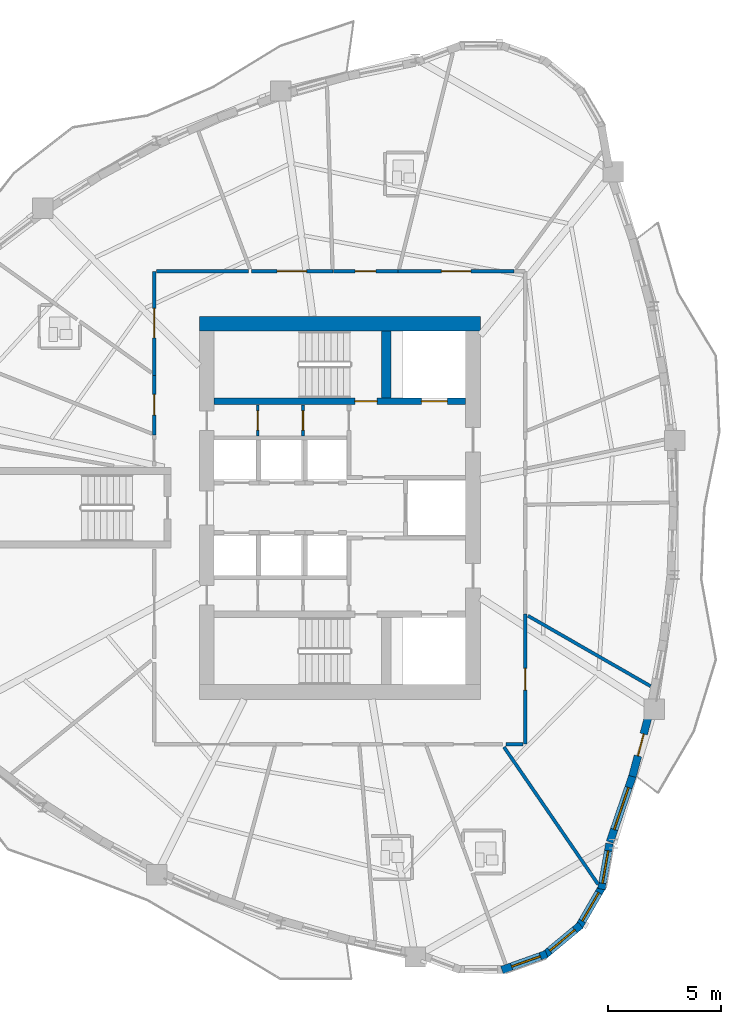
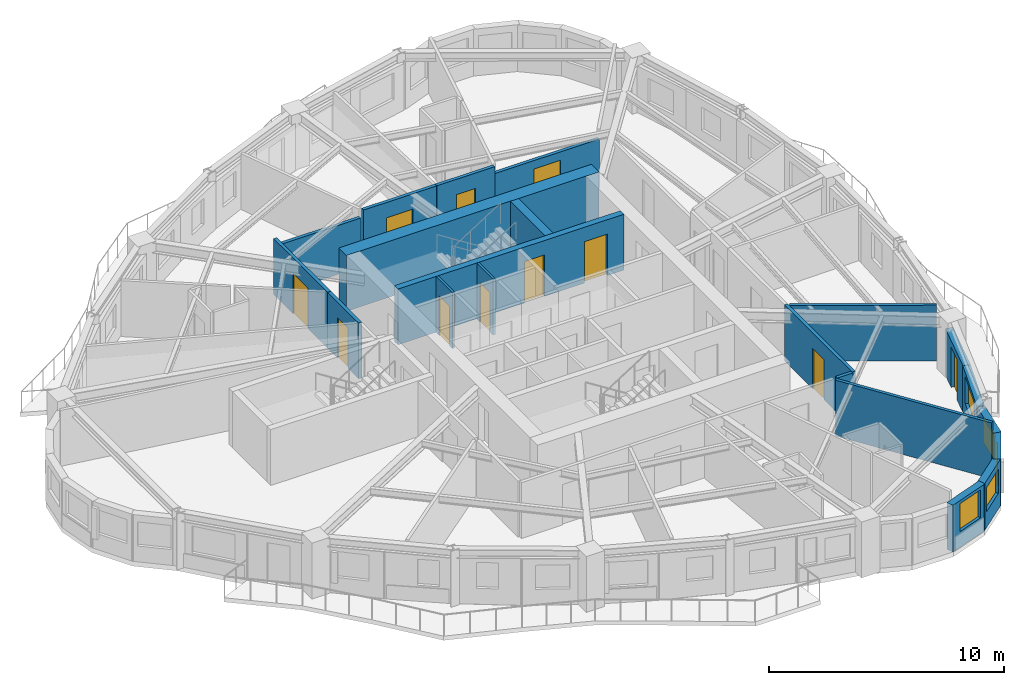
# One storey, part 6 of 12: 21 walls, 11 doors, 5 windows, 16 openings.
"""IFC4 building model written with IfcOpenShell, lengths in metres."""

from ifc_helpers import new_model, si_unit, direction, frame, frame_2d, origin, place, context, subcontext, project, spatial, rectangle, extrude, source, transform, mapped, material, layer, layer_set, type_object, element, fill, save


model = new_model("IFC4")

# Units and contexts
model_context = context("Model", 3, precision=1e-05, world=origin(), true_north=direction((0.0, 1.0)))
body_context = subcontext(model_context, "Body", "Model", "MODEL_VIEW")
ifc_project = project(units=[si_unit("LENGTHUNIT", "METRE"), si_unit("AREAUNIT", "SQUARE_METRE"), si_unit("VOLUMEUNIT", "CUBIC_METRE"), si_unit("PLANEANGLEUNIT", "RADIAN"), si_unit("MASSUNIT", "GRAM", prefix="KILO")], contexts=[model_context])

# Site, building, storey
site_placement = place(None, origin())
site = spatial("IfcSite", under=ifc_project, at=site_placement, CompositionType="ELEMENT")
building_placement = place(site_placement, origin())
building = spatial("IfcBuilding", under=site, at=building_placement, Name="Qafzar Sky-Pleat Residences", CompositionType="ELEMENT")
storey_placement = place(building_placement, frame((0.0, 0.0, 124.800048828125)))
storey = spatial("IfcBuildingStorey", under=building, at=storey_placement, Name="L37", CompositionType="ELEMENT", Elevation=124.800048828125)

# Wall, opening, door
ifc_material_1 = material(Name="Acoustic gypsum plasterboard partition", Category="gypsum")
ifc_layer_1 = layer(ifc_material_1, 0.159912109375)
ifc_layer_set_1 = layer_set([ifc_layer_1], Name="Acoustic gypsum plasterboard partition")
wall_type_1 = type_object("IfcWallType", Name="PART-COR-160", PredefinedType="PARTITIONING", material=ifc_layer_set_1)
wall_1_placement = place(storey_placement, frame((38.530029296875, 21.321044921875, 0.0), z_axis=(0.0, 0.0, 1.0), x_axis=(0.0, -1.0, 0.0)))
wall_1 = element("IfcWall", 1, at=wall_1_placement, inside=storey, type_object=wall_type_1, Name="L37 Partition Wall PART-L37-PW-002", PredefinedType="PARTITIONING", context=body_context, shape_type="SweptSolid", body=[
    extrude(rectangle(XDim=5.7509765625, YDim=0.159912109375, at=frame_2d((2.87548828125, 0.0))), origin(), (0.0, 0.0, 1.0), 2.89990234375),
])
opening_1_placement = place(wall_1_placement, frame((2.404052734375, 0.0, 0.0)))
opening_1 = element("IfcOpeningElement", 2, at=opening_1_placement, cuts=wall_1, Name="Opening ID-06", PredefinedType="OPENING", context=body_context, shape_type="SweptSolid", body=[
    extrude(rectangle(XDim=0.9599609375, YDim=2.10009765625, at=frame_2d((0.47998046875, 1.050048828125))), frame((0.0, 0.08984375, 0.0), z_axis=(0.0, -1.0, 0.0), x_axis=(1.0, 0.0, 0.0)), (0.0, 0.0, 1.0), 0.179931640625),
])
ifc_material_2 = material(Name="Timber-faced fire door", Category="wood")
door_type_1 = type_object("IfcDoorType", Name="DR-STD-960", OperationType="NOTDEFINED", PredefinedType="DOOR", material=ifc_material_2)
shared_shape_1 = source(origin(), body_context, "Body", "SweptSolid", [
    extrude(rectangle(XDim=0.9599609375, YDim=2.10009765625, at=frame_2d((0.47998046875, 1.050048828125))), frame((0.0, 0.02490234375, 0.0), z_axis=(0.0, -1.0, 0.0), x_axis=(1.0, 0.0, 0.0)), (0.0, 0.0, 1.0), 0.050048828125),
])
door_1_placement = place(opening_1_placement, origin())
door_1 = element("IfcDoor", 3, at=door_1_placement, inside=storey, type_object=door_type_1, Name="L37 Wellness Yoga Studio Door", OperationType="SINGLE_SWING_LEFT", OverallHeight=2.10009765625, OverallWidth=0.9599609375, PredefinedType="DOOR", context=body_context, shape_type="MappedRepresentation", body=[
    mapped(shared_shape_1, transform((0.0, 0.0, 0.0), x_axis=(1.0, 0.0, 0.0), y_axis=(0.0, 1.0, 0.0), z_axis=(0.0, 0.0, 1.0), scale=1.0)),
])
fill(opening_1, door_1)

wall_2_placement = place(storey_placement, frame((32.925048828125, 36.429931640625, 0.0), z_axis=(0.0, 0.0, 1.0), x_axis=(1.0, 0.0, 0.0)))
wall_2 = element("IfcWall", 4, at=wall_2_placement, inside=storey, type_object=wall_type_1, Name="L37 Partition Wall PART-L37-PW-004", PredefinedType="PARTITIONING", context=body_context, shape_type="SweptSolid", body=[
    extrude(rectangle(XDim=5.117919921875, YDim=0.159912109375, at=frame_2d((2.55908203125, 0.0))), origin(), (0.0, 0.0, 1.0), 2.537841796875),
])
opening_2_placement = place(wall_2_placement, frame((1.907470703125, 0.0, 0.0)))
opening_2 = element("IfcOpeningElement", 5, at=opening_2_placement, cuts=wall_2, Name="Opening ID-05", PredefinedType="OPENING", context=body_context, shape_type="SweptSolid", body=[
    extrude(rectangle(XDim=1.300048828125, YDim=2.10009765625, at=frame_2d((0.64990234375, 1.050048828125))), frame((0.0, 0.08984375, 0.0), z_axis=(0.0, -1.0, 0.0), x_axis=(1.0, 0.0, 0.0)), (0.0, 0.0, 1.0), 0.179931640625),
])
door_type_2 = type_object("IfcDoorType", Name="DR-LNG-1300", OperationType="DOUBLE_DOOR_SINGLE_SWING", PredefinedType="DOOR", material=ifc_material_2)
shared_shape_2 = source(origin(), body_context, "Body", "SweptSolid", [
    extrude(rectangle(XDim=1.300048828125, YDim=2.10009765625, at=frame_2d((0.64990234375, 1.050048828125))), frame((0.0, 0.02490234375, 0.0), z_axis=(0.0, -1.0, 0.0), x_axis=(1.0, 0.0, 0.0)), (0.0, 0.0, 1.0), 0.050048828125),
])
door_2_placement = place(opening_2_placement, origin())
door_2 = element("IfcDoor", 6, at=door_2_placement, inside=storey, type_object=door_type_2, Name="L37 Tutorial Huddle Room Door", OperationType="DOUBLE_DOOR_SINGLE_SWING", OverallHeight=2.10009765625, OverallWidth=1.300048828125, PredefinedType="DOOR", context=body_context, shape_type="MappedRepresentation", body=[
    mapped(shared_shape_2, transform((0.0, 0.0, 0.0), x_axis=(1.0, 0.0, 0.0), y_axis=(0.0, 1.0, 0.0), z_axis=(0.0, 0.0, 1.0), scale=1.0)),
])
fill(opening_2, door_2)

wall_3_placement = place(storey_placement, frame((22.169921875, 31.843994140625, 0.0), z_axis=(0.0, 0.0, 1.0), x_axis=(0.0, 1.0, 0.0)))
wall_3 = element("IfcWall", 7, at=wall_3_placement, inside=storey, type_object=wall_type_1, Name="L37 Partition Wall PART-L37-PW-007", PredefinedType="PARTITIONING", context=body_context, shape_type="SweptSolid", body=[
    extrude(rectangle(XDim=4.5859375, YDim=0.159912109375, at=frame_2d((2.29296875, 0.0))), origin(), (0.0, 0.0, 1.0), 2.89990234375),
])
opening_3_placement = place(wall_3_placement, frame((1.652587890625, 0.0, 0.0)))
opening_3 = element("IfcOpeningElement", 8, at=opening_3_placement, cuts=wall_3, Name="Opening ID-05", PredefinedType="OPENING", context=body_context, shape_type="SweptSolid", body=[
    extrude(rectangle(XDim=1.300048828125, YDim=2.10009765625, at=frame_2d((0.64990234375, 1.050048828125))), frame((0.0, 0.08984375, 0.0), z_axis=(0.0, -1.0, 0.0), x_axis=(1.0, 0.0, 0.0)), (0.0, 0.0, 1.0), 0.179931640625),
])
door_3_placement = place(opening_3_placement, origin())
door_3 = element("IfcDoor", 9, at=door_3_placement, inside=storey, type_object=door_type_2, Name="L37 Graduate Lecture Room Door", OperationType="DOUBLE_DOOR_SINGLE_SWING", OverallHeight=2.10009765625, OverallWidth=1.300048828125, PredefinedType="DOOR", context=body_context, shape_type="MappedRepresentation", body=[
    mapped(shared_shape_2, transform((0.0, 0.0, 0.0), x_axis=(1.0, 0.0, 0.0), y_axis=(0.0, 1.0, 0.0), z_axis=(0.0, 0.0, 1.0), scale=1.0)),
])
fill(opening_3, door_3)

wall_4_placement = place(storey_placement, frame((26.462890625, 36.429931640625, 0.0), z_axis=(0.0, 0.0, 1.0), x_axis=(1.0, 0.0, 0.0)))
wall_4 = element("IfcWall", 10, at=wall_4_placement, inside=storey, type_object=wall_type_1, Name="L37 Partition Wall PART-L37-PW-009", PredefinedType="PARTITIONING", context=body_context, shape_type="SweptSolid", body=[
    extrude(rectangle(XDim=3.585205078125, YDim=0.159912109375, at=frame_2d((1.79248046875, 0.0))), origin(), (0.0, 0.0, 1.0), 2.89990234375),
])
opening_4_placement = place(wall_4_placement, frame((1.119384765625, 0.0, 0.0)))
opening_4 = element("IfcOpeningElement", 11, at=opening_4_placement, cuts=wall_4, Name="Opening ID-05", PredefinedType="OPENING", context=body_context, shape_type="SweptSolid", body=[
    extrude(rectangle(XDim=1.300048828125, YDim=2.10009765625, at=frame_2d((0.64990234375, 1.050048828125))), frame((0.0, 0.08984375, 0.0), z_axis=(0.0, -1.0, 0.0), x_axis=(1.0, 0.0, 0.0)), (0.0, 0.0, 1.0), 0.179931640625),
])
door_4_placement = place(opening_4_placement, origin())
door_4 = element("IfcDoor", 12, at=door_4_placement, inside=storey, type_object=door_type_2, Name="L37 Communal Kitchen Door", OperationType="DOUBLE_DOOR_SINGLE_SWING", OverallHeight=2.10009765625, OverallWidth=1.300048828125, PredefinedType="DOOR", context=body_context, shape_type="MappedRepresentation", body=[
    mapped(shared_shape_2, transform((0.0, 0.0, 0.0), x_axis=(1.0, 0.0, 0.0), y_axis=(0.0, 1.0, 0.0), z_axis=(0.0, 0.0, 1.0), scale=1.0)),
])
fill(opening_4, door_4)

wall_5_placement = place(storey_placement, frame((30.06298828125, 36.429931640625, 0.0), z_axis=(0.0, 0.0, 1.0), x_axis=(1.0, 0.0, 0.0)))
wall_5 = element("IfcWall", 13, at=wall_5_placement, inside=storey, type_object=wall_type_1, Name="L37 Partition Wall PART-L37-PW-012", PredefinedType="PARTITIONING", context=body_context, shape_type="SweptSolid", body=[
    extrude(rectangle(XDim=2.846923828125, YDim=0.159912109375, at=frame_2d((1.42333984375, 0.0))), origin(), (0.0, 0.0, 1.0), 2.89990234375),
])
opening_5_placement = place(wall_5_placement, frame((0.964111328125, 0.0, 0.0)))
opening_5 = element("IfcOpeningElement", 14, at=opening_5_placement, cuts=wall_5, Name="Opening ID-04", PredefinedType="OPENING", context=body_context, shape_type="SweptSolid", body=[
    extrude(rectangle(XDim=0.919921875, YDim=2.10009765625, at=frame_2d((0.4599609375, 1.050048828125))), frame((0.0, 0.08984375, 0.0), z_axis=(0.0, -1.0, 0.0), x_axis=(1.0, 0.0, 0.0)), (0.0, 0.0, 1.0), 0.179931640625),
])
door_type_3 = type_object("IfcDoorType", Name="DR-BED-920", OperationType="NOTDEFINED", PredefinedType="DOOR", material=ifc_material_2)
shared_shape_3 = source(origin(), body_context, "Body", "SweptSolid", [
    extrude(rectangle(XDim=0.919921875, YDim=2.10009765625, at=frame_2d((0.4599609375, 1.050048828125))), frame((0.0, 0.02490234375, 0.0), z_axis=(0.0, -1.0, 0.0), x_axis=(1.0, 0.0, 0.0)), (0.0, 0.0, 1.0), 0.050048828125),
])
door_5_placement = place(opening_5_placement, origin())
door_5 = element("IfcDoor", 15, at=door_5_placement, inside=storey, type_object=door_type_3, Name="L37 Co-Living Bedroom 1 Door", OperationType="SINGLE_SWING_LEFT", OverallHeight=2.10009765625, OverallWidth=0.919921875, PredefinedType="DOOR", context=body_context, shape_type="MappedRepresentation", body=[
    mapped(shared_shape_3, transform((0.0, 0.0, 0.0), x_axis=(1.0, 0.0, 0.0), y_axis=(0.0, 1.0, 0.0), z_axis=(0.0, 0.0, 1.0), scale=1.0)),
])
fill(opening_5, door_5)

wall_6_placement = place(storey_placement, frame((22.169921875, 29.208984375, 0.0), z_axis=(0.0, 0.0, 1.0), x_axis=(0.0, 1.0, 0.0)))
wall_6 = element("IfcWall", 16, at=wall_6_placement, inside=storey, type_object=wall_type_1, Name="L37 Partition Wall PART-L37-PW-013", PredefinedType="PARTITIONING", context=body_context, shape_type="SweptSolid", body=[
    extrude(rectangle(XDim=2.6201171875, YDim=0.159912109375, at=frame_2d((1.31005859375, 0.0))), origin(), (0.0, 0.0, 1.0), 2.89990234375),
])
opening_6_placement = place(wall_6_placement, frame((0.87548828125, 0.0, 0.0)))
opening_6 = element("IfcOpeningElement", 17, at=opening_6_placement, cuts=wall_6, Name="Opening ID-04", PredefinedType="OPENING", context=body_context, shape_type="SweptSolid", body=[
    extrude(rectangle(XDim=0.919921875, YDim=2.10009765625, at=frame_2d((0.4599609375, 1.050048828125))), frame((0.0, 0.08984375, 0.0), z_axis=(0.0, -1.0, 0.0), x_axis=(1.0, 0.0, 0.0)), (0.0, 0.0, 1.0), 0.179931640625),
])
door_6_placement = place(opening_6_placement, origin())
door_6 = element("IfcDoor", 18, at=door_6_placement, inside=storey, type_object=door_type_3, Name="L37 Co-Living Bedroom 2 Door", OperationType="SINGLE_SWING_RIGHT", OverallHeight=2.10009765625, OverallWidth=0.919921875, PredefinedType="DOOR", context=body_context, shape_type="MappedRepresentation", body=[
    mapped(shared_shape_3, transform((0.0, 0.0, 0.0), x_axis=(1.0, 0.0, 0.0), y_axis=(0.0, 1.0, 0.0), z_axis=(0.0, 0.0, 1.0), scale=1.0)),
])
fill(opening_6, door_6)

# Walls
wall_7_placement = place(storey_placement, frame((22.258056640625, 36.429931640625, 0.0), z_axis=(0.0, 0.0, 1.0), x_axis=(1.0, 0.0, 0.0)))
element("IfcWall", 19, at=wall_7_placement, inside=storey, type_object=wall_type_1, Name="L37 Partition Wall PART-L37-PW-037", PredefinedType="PARTITIONING", context=body_context, shape_type="SweptSolid", body=[
    extrude(rectangle(XDim=4.074462890625, YDim=0.159912109375, at=frame_2d((2.037109375, 0.0))), origin(), (0.0, 0.0, 1.0), 2.537841796875),
])
wall_8_placement = place(storey_placement, frame((37.689697265625, 15.570068359375, 0.0), z_axis=(0.0, 0.0, 1.0), x_axis=(1.0, 0.0, 0.0)))
element("IfcWall", 20, at=wall_8_placement, inside=storey, type_object=wall_type_1, Name="L37 Partition Wall PART-L37-PW-053", PredefinedType="PARTITIONING", context=body_context, shape_type="SweptSolid", body=[
    extrude(rectangle(XDim=0.752197265625, YDim=0.159912109375, at=frame_2d((0.3759765625, 0.0))), origin(), (0.0, 0.0, 1.0), 2.89990234375),
])

# Wall, opening, door
ifc_material_3 = material(Name="Gypsum plasterboard partition", Category="gypsum")
ifc_layer_2 = layer(ifc_material_3, 0.114990234375)
ifc_layer_set_2 = layer_set([ifc_layer_2], Name="Gypsum plasterboard partition")
wall_type_2 = type_object("IfcWallType", Name="PART-SVC-115", PredefinedType="PARTITIONING", material=ifc_layer_set_2)
wall_9_placement = place(storey_placement, frame((26.72509765625, 29.159912109375, 0.0), z_axis=(0.0, 0.0, 1.0), x_axis=(0.0, 1.0, 0.0)))
wall_9 = element("IfcWall", 21, at=wall_9_placement, inside=storey, type_object=wall_type_2, Name="L37 Partition Wall PART-L37-KC-NW-1", PredefinedType="PARTITIONING", context=body_context, shape_type="SweptSolid", body=[
    extrude(rectangle(XDim=1.380126953125, YDim=0.114990234375, at=frame_2d((0.68994140625, 0.0))), origin(), (0.0, 0.0, 1.0), 2.89990234375),
])
opening_7_placement = place(wall_9_placement, frame((0.260009765625, 0.0, 0.0)))
opening_7 = element("IfcOpeningElement", 22, at=opening_7_placement, cuts=wall_9, Name="Opening ID-09", PredefinedType="OPENING", context=body_context, shape_type="SweptSolid", body=[
    extrude(rectangle(XDim=0.860107421875, YDim=2.050048828125, at=frame_2d((0.43017578125, 1.02490234375))), frame((0.0, 0.0673828125, 0.0), z_axis=(0.0, -1.0, 0.0), x_axis=(1.0, 0.0, 0.0)), (0.0, 0.0, 1.0), 0.135009765625),
])
door_type_4 = type_object("IfcDoorType", Name="DR-SVC-860", OperationType="NOTDEFINED", PredefinedType="DOOR", material=ifc_material_2)
shared_shape_4 = source(origin(), body_context, "Body", "SweptSolid", [
    extrude(rectangle(XDim=0.860107421875, YDim=2.050048828125, at=frame_2d((0.43017578125, 1.02490234375))), frame((0.0, 0.02490234375, 0.0), z_axis=(0.0, -1.0, 0.0), x_axis=(1.0, 0.0, 0.0)), (0.0, 0.0, 1.0), 0.050048828125),
])
door_7_placement = place(opening_7_placement, origin())
door_7 = element("IfcDoor", 23, at=door_7_placement, inside=storey, type_object=door_type_4, Name="L37 Core North Cupboard 1 Door", OperationType="SINGLE_SWING_LEFT", OverallHeight=2.050048828125, OverallWidth=0.860107421875, PredefinedType="DOOR", context=body_context, shape_type="MappedRepresentation", body=[
    mapped(shared_shape_4, transform((0.0, 0.0, 0.0), x_axis=(1.0, 0.0, 0.0), y_axis=(0.0, 1.0, 0.0), z_axis=(0.0, 0.0, 1.0), scale=1.0)),
])
fill(opening_7, door_7)

wall_10_placement = place(storey_placement, frame((28.72509765625, 29.159912109375, 0.0), z_axis=(0.0, 0.0, 1.0), x_axis=(0.0, 1.0, 0.0)))
wall_10 = element("IfcWall", 24, at=wall_10_placement, inside=storey, type_object=wall_type_2, Name="L37 Partition Wall PART-L37-KC-NW-2", PredefinedType="PARTITIONING", context=body_context, shape_type="SweptSolid", body=[
    extrude(rectangle(XDim=1.380126953125, YDim=0.114990234375, at=frame_2d((0.68994140625, 0.0))), origin(), (0.0, 0.0, 1.0), 2.89990234375),
])
opening_8_placement = place(wall_10_placement, frame((0.260009765625, 0.0, 0.0)))
opening_8 = element("IfcOpeningElement", 25, at=opening_8_placement, cuts=wall_10, Name="Opening ID-09", PredefinedType="OPENING", context=body_context, shape_type="SweptSolid", body=[
    extrude(rectangle(XDim=0.860107421875, YDim=2.050048828125, at=frame_2d((0.43017578125, 1.02490234375))), frame((0.0, 0.0673828125, 0.0), z_axis=(0.0, -1.0, 0.0), x_axis=(1.0, 0.0, 0.0)), (0.0, 0.0, 1.0), 0.135009765625),
])
door_8_placement = place(opening_8_placement, origin())
door_8 = element("IfcDoor", 26, at=door_8_placement, inside=storey, type_object=door_type_4, Name="L37 Core North Cupboard 2 Door", OperationType="SINGLE_SWING_LEFT", OverallHeight=2.050048828125, OverallWidth=0.860107421875, PredefinedType="DOOR", context=body_context, shape_type="MappedRepresentation", body=[
    mapped(shared_shape_4, transform((0.0, 0.0, 0.0), x_axis=(1.0, 0.0, 0.0), y_axis=(0.0, 1.0, 0.0), z_axis=(0.0, 0.0, 1.0), scale=1.0)),
])
fill(opening_8, door_8)

# Walls
ifc_layer_3 = layer(ifc_material_1, 0.14501953125)
ifc_layer_set_3 = layer_set([ifc_layer_3], Name="Acoustic gypsum plasterboard partition")
wall_type_3 = type_object("IfcWallType", Name="PART-UNIT-145", PredefinedType="PARTITIONING", material=ifc_layer_set_3)
wall_11_placement = place(storey_placement, frame((37.593505859375, 15.4423828125, 0.0), z_axis=(0.0, 0.0, 1.0), x_axis=(0.565681325722, -0.824623937155, 0.0)))
element("IfcWall", 27, at=wall_11_placement, inside=storey, type_object=wall_type_3, Name="L37 Partition Wall PART-L37-PW-026", PredefinedType="PARTITIONING", context=body_context, shape_type="SweptSolid", body=[
    extrude(rectangle(XDim=7.350341796875, YDim=0.14501953125, at=frame_2d((3.67529296875, 0.0))), origin(), (0.0, 0.0, 1.0), 2.89990234375),
])
wall_12_placement = place(storey_placement, frame((38.653076171875, 21.2333984375, 0.0), z_axis=(0.0, 0.0, 1.0), x_axis=(0.86726592845, -0.49784516604, 0.0)))
element("IfcWall", 28, at=wall_12_placement, inside=storey, type_object=wall_type_3, Name="L37 Partition Wall PART-L37-PW-031", PredefinedType="PARTITIONING", context=body_context, shape_type="SweptSolid", body=[
    extrude(rectangle(XDim=6.2373046875, YDim=0.14501953125, at=frame_2d((3.11865234375, 0.0))), origin(), (0.0, 0.0, 1.0), 2.89990234375),
])

# Wall, opening, window
ifc_material_4 = material(Name="Precast concrete C40/50 with honed Riyadh limestone", Category="concrete")
ifc_layer_4 = layer(ifc_material_4, 0.340087890625)
ifc_layer_set_4 = layer_set([ifc_layer_4], Name="Precast concrete C40/50 with honed Riyadh limestone")
wall_type_4 = type_object("IfcWallType", Name="WALL-EXT-340", PredefinedType="SOLIDWALL", material=ifc_layer_set_4)
wall_13_placement = place(storey_placement, frame((37.501708984375, 5.601806640625, 0.0), z_axis=(0.0, 0.0, 1.0), x_axis=(0.941523304278, 0.336947870598, 0.0)))
wall_13 = element("IfcWall", 29, at=wall_13_placement, inside=storey, type_object=wall_type_4, Name="L37 Limestone Facade Wall 19", PredefinedType="SOLIDWALL", context=body_context, shape_type="SweptSolid", body=[
    extrude(rectangle(XDim=2.09912109375, YDim=0.340087890625, at=frame_2d((1.049560546875, 0.0))), origin(), (0.0, 0.0, 1.0), 2.429931640625),
])
opening_9_placement = place(wall_13_placement, frame((0.455322265625, 0.0, 0.820068359375)))
opening_9 = element("IfcOpeningElement", 30, at=opening_9_placement, cuts=wall_13, Name="Opening WN-04", PredefinedType="OPENING", context=body_context, shape_type="SweptSolid", body=[
    extrude(rectangle(XDim=1.35009765625, YDim=1.449951171875, at=frame_2d((0.675048828125, 0.72509765625))), frame((0.0, 0.18017578125, 0.0), z_axis=(0.0, -1.0, 0.0), x_axis=(1.0, 0.0, 0.0)), (0.0, 0.0, 1.0), 0.360107421875),
])
ifc_material_5 = material(Name="Solar-control low-E glass in bronze aluminium frame", Category="glass")
window_type_1 = type_object("IfcWindowType", Name="WIN-04", PartitioningType="SINGLE_PANEL", PredefinedType="WINDOW", material=ifc_material_5)
shared_shape_5 = source(origin(), body_context, "Body", "SweptSolid", [
    extrude(rectangle(XDim=1.35009765625, YDim=1.449951171875, at=frame_2d((0.675048828125, 0.72509765625))), frame((0.0, 0.030029296875, 0.0), z_axis=(0.0, -1.0, 0.0), x_axis=(1.0, 0.0, 0.0)), (0.0, 0.0, 1.0), 0.06005859375),
])
window_1_placement = place(opening_9_placement, origin())
window_1 = element("IfcWindow", 31, at=window_1_placement, inside=storey, type_object=window_type_1, Name="L37 Punched Facade Window 19", OverallHeight=1.449951171875, OverallWidth=1.35009765625, PartitioningType="SINGLE_PANEL", PredefinedType="WINDOW", context=body_context, shape_type="MappedRepresentation", body=[
    mapped(shared_shape_5, transform((0.0, 0.0, 0.0), x_axis=(1.0, 0.0, 0.0), y_axis=(0.0, 1.0, 0.0), z_axis=(0.0, 0.0, 1.0), scale=1.0)),
])
fill(opening_9, window_1)

wall_14_placement = place(storey_placement, frame((39.361572265625, 6.242431640625, 0.0), z_axis=(0.0, 0.0, 1.0), x_axis=(0.768440501876, 0.639921241308, 0.0)))
wall_14 = element("IfcWall", 32, at=wall_14_placement, inside=storey, type_object=wall_type_4, Name="L37 Limestone Facade Wall 20", PredefinedType="SOLIDWALL", context=body_context, shape_type="SweptSolid", body=[
    extrude(rectangle(XDim=2.09912109375, YDim=0.340087890625, at=frame_2d((1.049560546875, 0.0))), origin(), (0.0, 0.0, 1.0), 2.429931640625),
])
opening_10_placement = place(wall_14_placement, frame((0.324462890625, 0.0, 0.820068359375)))
opening_10 = element("IfcOpeningElement", 33, at=opening_10_placement, cuts=wall_14, Name="Opening WN-15", PredefinedType="OPENING", context=body_context, shape_type="SweptSolid", body=[
    extrude(rectangle(XDim=1.449951171875, YDim=1.25, at=frame_2d((0.72509765625, 0.625))), frame((0.0, 0.18017578125, 0.0), z_axis=(0.0, -1.0, 0.0), x_axis=(1.0, 0.0, 0.0)), (0.0, 0.0, 1.0), 0.360107421875),
])
window_type_2 = type_object("IfcWindowType", Name="WIN-15", PartitioningType="SINGLE_PANEL", PredefinedType="WINDOW", material=ifc_material_5)
shared_shape_6 = source(origin(), body_context, "Body", "SweptSolid", [
    extrude(rectangle(XDim=1.449951171875, YDim=1.25, at=frame_2d((0.72509765625, 0.625))), frame((0.0, 0.030029296875, 0.0), z_axis=(0.0, -1.0, 0.0), x_axis=(1.0, 0.0, 0.0)), (0.0, 0.0, 1.0), 0.06005859375),
])
window_2_placement = place(opening_10_placement, origin())
window_2 = element("IfcWindow", 34, at=window_2_placement, inside=storey, type_object=window_type_2, Name="L37 Punched Facade Window 20", OverallHeight=1.25, OverallWidth=1.449951171875, PartitioningType="SINGLE_PANEL", PredefinedType="WINDOW", context=body_context, shape_type="MappedRepresentation", body=[
    mapped(shared_shape_6, transform((0.0, 0.0, 0.0), x_axis=(1.0, 0.0, 0.0), y_axis=(0.0, 1.0, 0.0), z_axis=(0.0, 0.0, 1.0), scale=1.0)),
])
fill(opening_10, window_2)

wall_15_placement = place(storey_placement, frame((40.88818359375, 7.483154296875, 0.0), z_axis=(0.0, 0.0, 1.0), x_axis=(0.501902596059, 0.864924149315, 0.0)))
wall_15 = element("IfcWall", 35, at=wall_15_placement, inside=storey, type_object=wall_type_4, Name="L37 Limestone Facade Wall 21", PredefinedType="SOLIDWALL", context=body_context, shape_type="SweptSolid", body=[
    extrude(rectangle(XDim=2.098876953125, YDim=0.340087890625, at=frame_2d((1.04931640625, 0.0))), origin(), (0.0, 0.0, 1.0), 2.429931640625),
])
opening_11_placement = place(wall_15_placement, frame((0.324462890625, 0.0, 0.820068359375)))
opening_11 = element("IfcOpeningElement", 36, at=opening_11_placement, cuts=wall_15, Name="Opening WN-15", PredefinedType="OPENING", context=body_context, shape_type="SweptSolid", body=[
    extrude(rectangle(XDim=1.449951171875, YDim=1.25, at=frame_2d((0.72509765625, 0.625))), frame((0.0, 0.18017578125, 0.0), z_axis=(0.0, -1.0, 0.0), x_axis=(1.0, 0.0, 0.0)), (0.0, 0.0, 1.0), 0.360107421875),
])
window_3_placement = place(opening_11_placement, origin())
window_3 = element("IfcWindow", 37, at=window_3_placement, inside=storey, type_object=window_type_2, Name="L37 Punched Facade Window 21", OverallHeight=1.25, OverallWidth=1.449951171875, PartitioningType="SINGLE_PANEL", PredefinedType="WINDOW", context=body_context, shape_type="MappedRepresentation", body=[
    mapped(shared_shape_6, transform((0.0, 0.0, 0.0), x_axis=(1.0, 0.0, 0.0), y_axis=(0.0, 1.0, 0.0), z_axis=(0.0, 0.0, 1.0), scale=1.0)),
])
fill(opening_11, window_3)

wall_16_placement = place(storey_placement, frame((41.895751953125, 9.172607421875, 0.0), z_axis=(0.0, 0.0, 1.0), x_axis=(0.174399433509, 0.984674990843, 0.0)))
wall_16 = element("IfcWall", 38, at=wall_16_placement, inside=storey, type_object=wall_type_4, Name="L37 Limestone Facade Wall 22", PredefinedType="SOLIDWALL", context=body_context, shape_type="SweptSolid", body=[
    extrude(rectangle(XDim=2.041015625, YDim=0.340087890625, at=frame_2d((1.0205078125, 0.0))), origin(), (0.0, 0.0, 1.0), 2.429931640625),
])
opening_12_placement = place(wall_16_placement, frame((0.2666015625, 0.0, 0.820068359375)))
opening_12 = element("IfcOpeningElement", 39, at=opening_12_placement, cuts=wall_16, Name="Opening WN-15", PredefinedType="OPENING", context=body_context, shape_type="SweptSolid", body=[
    extrude(rectangle(XDim=1.449951171875, YDim=1.25, at=frame_2d((0.72509765625, 0.625))), frame((0.0, 0.18017578125, 0.0), z_axis=(0.0, -1.0, 0.0), x_axis=(1.0, 0.0, 0.0)), (0.0, 0.0, 1.0), 0.360107421875),
])
window_4_placement = place(opening_12_placement, origin())
window_4 = element("IfcWindow", 40, at=window_4_placement, inside=storey, type_object=window_type_2, Name="L37 Punched Facade Window 22", OverallHeight=1.25, OverallWidth=1.449951171875, PartitioningType="SINGLE_PANEL", PredefinedType="WINDOW", context=body_context, shape_type="MappedRepresentation", body=[
    mapped(shared_shape_6, transform((0.0, 0.0, 0.0), x_axis=(1.0, 0.0, 0.0), y_axis=(0.0, 1.0, 0.0), z_axis=(0.0, 0.0, 1.0), scale=1.0)),
])
fill(opening_12, window_4)

wall_17_placement = place(storey_placement, frame((42.26806640625, 11.246337890625, 0.0), z_axis=(0.0, 0.0, 1.0), x_axis=(0.323583674973, 0.946199558915, 0.0)))
wall_17 = element("IfcWall", 41, at=wall_17_placement, inside=storey, type_object=wall_type_4, Name="L37 Limestone Facade Wall 23", PredefinedType="SOLIDWALL", context=body_context, shape_type="SweptSolid", body=[
    extrude(rectangle(XDim=3.15234375, YDim=0.340087890625, at=frame_2d((1.576171875, 0.0))), origin(), (0.0, 0.0, 1.0), 2.429931640625),
])
opening_13_placement = place(wall_17_placement, frame((0.591064453125, 0.0, 0.820068359375)))
opening_13 = element("IfcOpeningElement", 42, at=opening_13_placement, cuts=wall_17, Name="Opening WN-08", PredefinedType="OPENING", context=body_context, shape_type="SweptSolid", body=[
    extrude(rectangle(XDim=1.949951171875, YDim=1.39990234375, at=frame_2d((0.97509765625, 0.699951171875))), frame((0.0, 0.18017578125, 0.0), z_axis=(0.0, -1.0, 0.0), x_axis=(1.0, 0.0, 0.0)), (0.0, 0.0, 1.0), 0.360107421875),
])
window_type_3 = type_object("IfcWindowType", Name="WIN-08", PartitioningType="DOUBLE_PANEL_VERTICAL", PredefinedType="WINDOW", material=ifc_material_5)
shared_shape_7 = source(origin(), body_context, "Body", "SweptSolid", [
    extrude(rectangle(XDim=1.949951171875, YDim=1.39990234375, at=frame_2d((0.97509765625, 0.699951171875))), frame((0.0, 0.030029296875, 0.0), z_axis=(0.0, -1.0, 0.0), x_axis=(1.0, 0.0, 0.0)), (0.0, 0.0, 1.0), 0.06005859375),
])
window_5_placement = place(opening_13_placement, origin())
window_5 = element("IfcWindow", 43, at=window_5_placement, inside=storey, type_object=window_type_3, Name="L37 Punched Facade Window 23", OverallHeight=1.39990234375, OverallWidth=1.949951171875, PartitioningType="SINGLE_PANEL", PredefinedType="WINDOW", context=body_context, shape_type="MappedRepresentation", body=[
    mapped(shared_shape_7, transform((0.0, 0.0, 0.0), x_axis=(1.0, 0.0, 0.0), y_axis=(0.0, 1.0, 0.0), z_axis=(0.0, 0.0, 1.0), scale=1.0)),
])
fill(opening_13, window_5)

# Wall, opening, door
wall_18_placement = place(storey_placement, frame((43.2626953125, 14.14501953125, 0.0), z_axis=(0.0, 0.0, 1.0), x_axis=(0.257086792151, 0.96638831807, 0.0)))
wall_18 = element("IfcWall", 44, at=wall_18_placement, inside=storey, type_object=wall_type_4, Name="L37 Limestone Facade Wall 24", PredefinedType="SOLIDWALL", context=body_context, shape_type="SweptSolid", body=[
    extrude(rectangle(XDim=2.87646484375, YDim=0.340087890625, at=frame_2d((1.438232421875, 0.0))), origin(), (0.0, 0.0, 1.0), 2.429931640625),
])
opening_14_placement = place(wall_18_placement, frame((0.938232421875, 0.0, 0.0)))
opening_14 = element("IfcOpeningElement", 45, at=opening_14_placement, cuts=wall_18, Name="Opening ED-05", PredefinedType="OPENING", context=body_context, shape_type="SweptSolid", body=[
    extrude(rectangle(XDim=1.0, YDim=2.10009765625, at=frame_2d((0.5, 1.050048828125))), frame((0.0, 0.18017578125, 0.0), z_axis=(0.0, -1.0, 0.0), x_axis=(1.0, 0.0, 0.0)), (0.0, 0.0, 1.0), 0.360107421875),
])
ifc_material_6 = material(Name="Glazed bronze aluminium door", Category="aluminium")
door_type_5 = type_object("IfcDoorType", Name="DR-BAL-1000", OperationType="NOTDEFINED", PredefinedType="DOOR", material=ifc_material_6)
shared_shape_8 = source(origin(), body_context, "Body", "SweptSolid", [
    extrude(rectangle(XDim=1.0, YDim=2.10009765625, at=frame_2d((0.5, 1.050048828125))), frame((0.0, 0.02490234375, 0.0), z_axis=(0.0, -1.0, 0.0), x_axis=(1.0, 0.0, 0.0)), (0.0, 0.0, 1.0), 0.050048828125),
])
door_9_placement = place(opening_14_placement, origin())
door_9 = element("IfcDoor", 46, at=door_9_placement, inside=storey, type_object=door_type_5, Name="L37 Glazed Balcony Door 1", OperationType="SINGLE_SWING_LEFT", OverallHeight=2.10009765625, OverallWidth=1.0, PredefinedType="DOOR", context=body_context, shape_type="MappedRepresentation", body=[
    mapped(shared_shape_8, transform((0.0, 0.0, 0.0), x_axis=(1.0, 0.0, 0.0), y_axis=(0.0, 1.0, 0.0), z_axis=(0.0, 0.0, 1.0), scale=1.0)),
])
fill(opening_14, door_9)

# Wall, openings, doors
ifc_material_7 = material(Name="Concrete C60/75", Category="concrete")
ifc_layer_5 = layer(ifc_material_7, 0.300048828125)
ifc_layer_set_5 = layer_set([ifc_layer_5], Name="Concrete C60/75")
wall_type_5 = type_object("IfcWallType", Name="WALL-SHEAR-300", PredefinedType="SHEAR", material=ifc_layer_set_5)
wall_19_placement = place(storey_placement, frame((24.800048828125, 30.699951171875, 0.0), z_axis=(0.0, 0.0, 1.0), x_axis=(1.0, 0.0, 0.0)))
wall_19 = element("IfcWall", 47, at=wall_19_placement, inside=storey, type_object=wall_type_5, Name="L37 Stair ST2 and FF2 Shaft South Wall", PredefinedType="SHEAR", context=body_context, shape_type="SweptSolid", body=[
    extrude(rectangle(XDim=11.099853515625, YDim=0.300048828125, at=frame_2d((5.5498046875, 0.0))), origin(), (0.0, 0.0, 1.0), 2.89990234375),
])
opening_15_placement = place(wall_19_placement, frame((6.219970703125, 0.0, 0.0)))
opening_15 = element("IfcOpeningElement", 48, at=opening_15_placement, cuts=wall_19, Name="Opening ID-01", PredefinedType="OPENING", context=body_context, shape_type="SweptSolid", body=[
    extrude(rectangle(XDim=0.97998046875, YDim=2.14990234375, at=frame_2d((0.489990234375, 1.074951171875))), frame((0.0, 0.16015625, 0.0), z_axis=(0.0, -1.0, 0.0), x_axis=(1.0, 0.0, 0.0)), (0.0, 0.0, 1.0), 0.320068359375),
])
opening_16_placement = place(wall_19_placement, frame((9.14990234375, 0.0, 0.0)))
opening_16 = element("IfcOpeningElement", 49, at=opening_16_placement, cuts=wall_19, Name="Opening LD-02", PredefinedType="OPENING", context=body_context, shape_type="SweptSolid", body=[
    extrude(rectangle(XDim=1.14990234375, YDim=2.14990234375, at=frame_2d((0.574951171875, 1.074951171875))), frame((0.0, 0.16015625, 0.0), z_axis=(0.0, -1.0, 0.0), x_axis=(1.0, 0.0, 0.0)), (0.0, 0.0, 1.0), 0.320068359375),
])
door_type_6 = type_object("IfcDoorType", Name="DR-STAIR-980", OperationType="NOTDEFINED", PredefinedType="DOOR", material=ifc_material_2)
shared_shape_9 = source(origin(), body_context, "Body", "SweptSolid", [
    extrude(rectangle(XDim=0.97998046875, YDim=2.14990234375, at=frame_2d((0.489990234375, 1.074951171875))), frame((0.0, 0.02490234375, 0.0), z_axis=(0.0, -1.0, 0.0), x_axis=(1.0, 0.0, 0.0)), (0.0, 0.0, 1.0), 0.050048828125),
])
door_10_placement = place(opening_15_placement, origin())
door_10 = element("IfcDoor", 50, at=door_10_placement, inside=storey, type_object=door_type_6, Name="L37 Stair ST2 Fire Door", OperationType="SINGLE_SWING_RIGHT", OverallHeight=2.14990234375, OverallWidth=0.97998046875, PredefinedType="DOOR", context=body_context, shape_type="MappedRepresentation", body=[
    mapped(shared_shape_9, transform((0.0, 0.0, 0.0), x_axis=(1.0, 0.0, 0.0), y_axis=(0.0, 1.0, 0.0), z_axis=(0.0, 0.0, 1.0), scale=1.0)),
])
fill(opening_15, door_10)
ifc_material_8 = material(Name="Stainless steel sliding landing door", Category="steel")
door_type_7 = type_object("IfcDoorType", Name="DR-LIFT-FF", OperationType="DOUBLE_DOOR_SLIDING", PredefinedType="DOOR", material=ifc_material_8)
shared_shape_10 = source(origin(), body_context, "Body", "SweptSolid", [
    extrude(rectangle(XDim=1.14990234375, YDim=2.14990234375, at=frame_2d((0.574951171875, 1.074951171875))), frame((0.0, 0.02490234375, 0.0), z_axis=(0.0, -1.0, 0.0), x_axis=(1.0, 0.0, 0.0)), (0.0, 0.0, 1.0), 0.050048828125),
])
door_11_placement = place(opening_16_placement, origin())
door_11 = element("IfcDoor", 51, at=door_11_placement, inside=storey, type_object=door_type_7, Name="L37 Firefighting Lift FF2 Landing Door", OperationType="DOUBLE_DOOR_SLIDING", OverallHeight=2.14990234375, OverallWidth=1.14990234375, PredefinedType="DOOR", context=body_context, shape_type="MappedRepresentation", body=[
    mapped(shared_shape_10, transform((0.0, 0.0, 0.0), x_axis=(1.0, 0.0, 0.0), y_axis=(0.0, 1.0, 0.0), z_axis=(0.0, 0.0, 1.0), scale=1.0)),
])
fill(opening_16, door_11)

# Walls
ifc_layer_6 = layer(ifc_material_7, 0.39990234375)
ifc_layer_set_6 = layer_set([ifc_layer_6], Name="Concrete C60/75")
wall_type_6 = type_object("IfcWallType", Name="WALL-SHEAR-400", PredefinedType="SHEAR", material=ifc_layer_set_6)
wall_20_placement = place(storey_placement, frame((32.39990234375, 30.85009765625, 0.0), z_axis=(0.0, 0.0, 1.0), x_axis=(0.0, 1.0, 0.0)))
element("IfcWall", 52, at=wall_20_placement, inside=storey, type_object=wall_type_6, Name="L37 Stair ST2 East Dividing Wall", PredefinedType="SHEAR", context=body_context, shape_type="SweptSolid", body=[
    extrude(rectangle(XDim=2.949951171875, YDim=0.39990234375, at=frame_2d((1.47509765625, 0.0))), origin(), (0.0, 0.0, 1.0), 2.89990234375),
])
ifc_layer_7 = layer(ifc_material_7, 0.64990234375)
ifc_layer_set_7 = layer_set([ifc_layer_7], Name="Concrete C60/75")
wall_type_7 = type_object("IfcWallType", Name="WALL-SHEAR-650", PredefinedType="SHEAR", material=ifc_layer_set_7)
wall_21_placement = place(storey_placement, frame((36.550048828125, 34.125, 0.0), z_axis=(0.0, 0.0, 1.0), x_axis=(-1.0, 0.0, 0.0)))
element("IfcWall", 53, at=wall_21_placement, inside=storey, type_object=wall_type_7, Name="L37 CORE wall N", PredefinedType="SHEAR", context=body_context, shape_type="SweptSolid", body=[
    extrude(rectangle(XDim=12.400146484375, YDim=0.64990234375, at=frame_2d((6.2001953125, 0.0))), origin(), (0.0, 0.0, 1.0), 2.89990234375),
])

save(model, "model.ifc")
